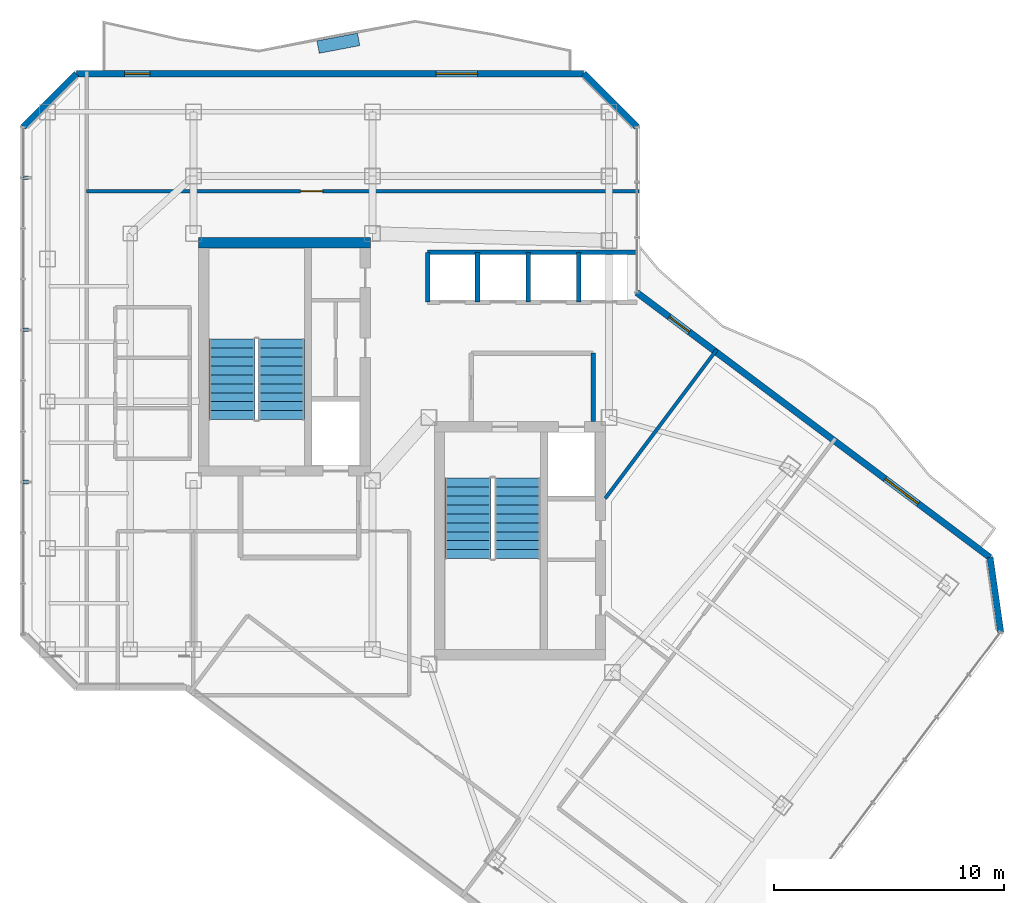
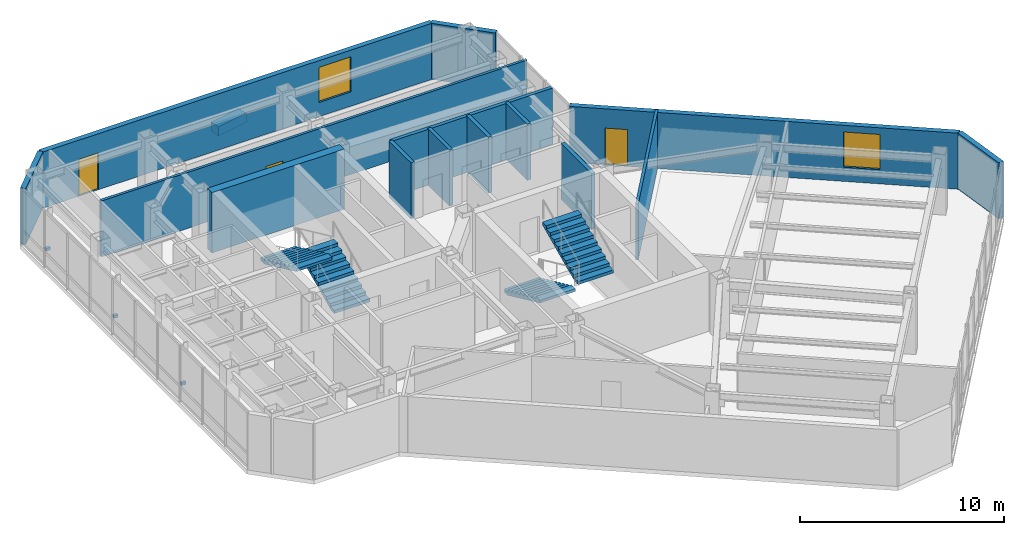
# One storey, part 21 of 25: 14 walls, 4 discrete accessories, 4 stair flights, 3 doors, 2 windows, 5 openings, 2 elements without a shape of their own.
"""IFC4 building model written with IfcOpenShell, lengths in metres."""

from ifc_helpers import new_model, si_unit, direction, frame, frame_2d, origin, origin_2d, place, context, subcontext, project, spatial, polyline, rectangle, outline, extrude, material, layer, layer_set, type_object, element, fill, aggregate, save


model = new_model("IFC4")

# Units and contexts
model_context = context("Model", 3, precision=1e-05, world=origin(), true_north=direction((0.0, 1.0)))
body_context = subcontext(model_context, "Body", "Model", "MODEL_VIEW")
ifc_project = project(units=[si_unit("LENGTHUNIT", "METRE"), si_unit("AREAUNIT", "SQUARE_METRE"), si_unit("VOLUMEUNIT", "CUBIC_METRE"), si_unit("PLANEANGLEUNIT", "RADIAN"), si_unit("MASSUNIT", "GRAM", prefix="KILO")], contexts=[model_context])

# Site, building, storey
site_placement = place(None, origin())
site = spatial("IfcSite", under=ifc_project, at=site_placement, CompositionType="ELEMENT")
building_placement = place(site_placement, origin())
building = spatial("IfcBuilding", under=site, at=building_placement, Name="Hatsunagi Terrace Concourse", CompositionType="ELEMENT")
storey_placement = place(building_placement, frame((0.0, 0.0, 220.35009765625)))
storey = spatial("IfcBuildingStorey", under=building, at=storey_placement, Name="L58", CompositionType="ELEMENT", Elevation=220.35009765625)

# Wall
ifc_material_1 = material(Name="Concrete Fc42", Category="concrete")
ifc_layer_1 = layer(ifc_material_1, 0.449951171875)
ifc_layer_set_1 = layer_set([ifc_layer_1], Name="CoreShearWall_Fc42_450")
wall_type_1 = type_object("IfcWallType", Name="CoreShearWall_Fc42_450", PredefinedType="SHEAR", material=ifc_layer_set_1)
wall_1_placement = place(storey_placement, frame((25.77001953125, 42.89501953125, 0.0), z_axis=(0.0, 0.0, 1.0), x_axis=(1.0, 0.0, 0.0)))
element("IfcWall", 1, at=wall_1_placement, inside=storey, type_object=wall_type_1, Name="Core A Shear Wall N L58", PredefinedType="SHEAR", context=body_context, shape_type="SweptSolid", body=[
    extrude(rectangle(XDim=7.47998046875, YDim=0.449951171875, at=frame_2d((3.739990234375, 0.0))), origin(), (0.0, 0.0, 1.0), 3.599853515625),
])

# Wall, opening, door
ifc_material_2 = material(Name="Acoustic mineral board", Category="gypsum")
ifc_layer_2 = layer(ifc_material_2, 0.14990234375)
ifc_layer_set_2 = layer_set([ifc_layer_2], Name="PartitionWall_EI60_150")
wall_type_2 = type_object("IfcWallType", Name="PartitionWall_EI60_150", PredefinedType="PARTITIONING", material=ifc_layer_set_2)
wall_2_placement = place(storey_placement, frame((20.89990234375, 45.14990234375, 0.0), z_axis=(0.0, 0.0, 1.0), x_axis=(1.0, 0.0, 0.0)))
wall_2 = element("IfcWall", 2, at=wall_2_placement, inside=storey, type_object=wall_type_2, Name="Interior Partition IW-L58-031", PredefinedType="PARTITIONING", context=body_context, shape_type="SweptSolid", body=[
    extrude(rectangle(XDim=24.06005859375, YDim=0.14990234375, at=frame_2d((12.030029296875, 0.0))), origin(), (0.0, 0.0, 1.0), 3.349853515625),
])
opening_1_placement = place(wall_2_placement, frame((9.320068359375, 0.0, 0.0)))
opening_1 = element("IfcOpeningElement", 3, at=opening_1_placement, cuts=wall_2, Name="Opening DR-095", PredefinedType="OPENING", context=body_context, shape_type="SweptSolid", body=[
    extrude(rectangle(XDim=0.949951171875, YDim=2.14990234375, at=frame_2d((0.47509765625, 1.074951171875))), frame((0.0, 0.0849609375, 0.0), z_axis=(0.0, -1.0, 0.0), x_axis=(1.0, 0.0, 0.0)), (0.0, 0.0, 1.0), 0.169921875),
])
ifc_material_3 = material(Name="Hardwood timber", Category="wood")
door_type_1 = type_object("IfcDoorType", Name="InteriorSuiteDoor_EI30_950", OperationType="NOTDEFINED", PredefinedType="DOOR", material=ifc_material_3)
door_1_placement = place(opening_1_placement, origin())
door_1 = element("IfcDoor", 4, at=door_1_placement, inside=storey, type_object=door_type_1, Name="Boardroom L58-ON1 Door", OperationType="SINGLE_SWING_RIGHT", OverallHeight=2.14990234375, OverallWidth=0.949951171875, PredefinedType="DOOR", context=body_context, shape_type="SweptSolid", body=[
    extrude(rectangle(XDim=0.949951171875, YDim=2.14990234375, at=frame_2d((0.47509765625, 1.074951171875))), frame((0.0, 0.02490234375, 0.0), z_axis=(0.0, -1.0, 0.0), x_axis=(1.0, 0.0, 0.0)), (0.0, 0.0, 1.0), 0.050048828125),
])
fill(opening_1, door_1)

# Walls
wall_3_placement = place(storey_placement, frame((43.47998046875, 31.77294921875, 0.0), z_axis=(0.0, 0.0, 1.0), x_axis=(0.599971041729, 0.800021717885, 0.0)))
element("IfcWall", 5, at=wall_3_placement, inside=storey, type_object=wall_type_2, Name="Interior Partition IW-L58-035", PredefinedType="PARTITIONING", context=body_context, shape_type="SweptSolid", body=[
    extrude(rectangle(XDim=8.09375, YDim=0.14990234375, at=frame_2d((4.046875, 0.0))), origin(), (0.0, 0.0, 1.0), 3.349853515625),
])
ifc_material_4 = material(Name="Acoustic mineral board", Category="gypsum")
ifc_layer_3 = layer(ifc_material_4, 0.199951171875)
ifc_layer_set_3 = layer_set([ifc_layer_3], Name="ShaftWall_EI120_200")
wall_type_3 = type_object("IfcWallType", Name="ShaftWall_EI120_200", PredefinedType="STANDARD", material=ifc_layer_set_3)
wall_4_placement = place(storey_placement, frame((42.949951171875, 35.1201171875, 0.0), z_axis=(0.0, 0.0, 1.0), x_axis=(0.0, 1.0, 0.0)))
element("IfcWall", 6, at=wall_4_placement, inside=storey, type_object=wall_type_3, Name="Interior Partition IW-L58-010", PredefinedType="STANDARD", context=body_context, shape_type="SweptSolid", body=[
    extrude(rectangle(XDim=2.97998046875, YDim=0.199951171875, at=frame_2d((1.489990234375, 0.0))), origin(), (0.0, 0.0, 1.0), 3.349853515625),
])
wall_5_placement = place(storey_placement, frame((35.75, 42.47998046875, 0.0), z_axis=(0.0, 0.0, 1.0), x_axis=(1.0, 0.0, 0.0)))
element("IfcWall", 7, at=wall_5_placement, inside=storey, type_object=wall_type_3, Name="Interior Partition IW-L58-012", PredefinedType="STANDARD", context=body_context, shape_type="SweptSolid", body=[
    extrude(rectangle(XDim=9.110107421875, YDim=0.199951171875, at=frame_2d((4.55517578125, 0.0))), origin(), (0.0, 0.0, 1.0), 3.349853515625),
])
for number, where, z_axis, x_axis, name in (
    (8, (35.75, 40.320068359375, 0.0), (0.0, 0.0, 1.0), (0.0, 1.0, 0.0), "Interior Partition IW-L58-013"),
    (9, (37.919921875, 40.320068359375, 0.0), (0.0, 0.0, 1.0), (0.0, 1.0, 0.0), "Interior Partition IW-L58-014"),
    (10, (40.1201171875, 40.320068359375, 0.0), (0.0, 0.0, 1.0), (0.0, 1.0, 0.0), "Interior Partition IW-L58-015"),
    (11, (42.320068359375, 40.320068359375, 0.0), (0.0, 0.0, 1.0), (0.0, 1.0, 0.0), "Interior Partition IW-L58-016"),
):
    element("IfcWall", number, at=place(storey_placement, frame(where, z_axis=z_axis, x_axis=x_axis)), inside=storey, type_object=wall_type_3, Name=name, PredefinedType="STANDARD", context=body_context, shape_type="SweptSolid", body=[
        extrude(rectangle(XDim=2.159912109375, YDim=0.199951171875, at=frame_2d((1.080078125, 0.0))), origin(), (0.0, 0.0, 1.0), 3.349853515625),
    ])

# Wall, openings, door, window
ifc_material_5 = material(Name="Autoclaved Lightweight Concrete and Terracotta Cladding", Category="masonry")
ifc_layer_4 = layer(ifc_material_5, 0.280029296875)
ifc_layer_set_4 = layer_set([ifc_layer_4], Name="TerracottaSpandrelWall_280")
wall_type_4 = type_object("IfcWallType", Name="TerracottaSpandrelWall_280", PredefinedType="STANDARD", material=ifc_layer_set_4)
wall_6_placement = place(storey_placement, frame((44.860107421875, 40.72998046875, 0.0), z_axis=(0.0, 0.0, 1.0), x_axis=(0.800007624502, -0.599989833863, 0.0)))
wall_6 = element("IfcWall", 12, at=wall_6_placement, inside=storey, type_object=wall_type_4, Name="Exterior Spandrel Wall EW-L58-01", PredefinedType="STANDARD", context=body_context, shape_type="SweptSolid", body=[
    extrude(rectangle(XDim=19.212158203125, YDim=0.280029296875, at=frame_2d((9.60595703125, 0.0))), origin(), (0.0, 0.0, 1.0), 3.349853515625),
])
opening_2_placement = place(wall_6_placement, frame((1.7548828125, 0.0, 0.0)))
opening_2 = element("IfcOpeningElement", 13, at=opening_2_placement, cuts=wall_6, Name="Opening BD-01", PredefinedType="OPENING", context=body_context, shape_type="SweptSolid", body=[
    extrude(rectangle(XDim=1.10009765625, YDim=2.199951171875, at=frame_2d((0.550048828125, 1.10009765625))), frame((0.0, 0.14990234375, 0.0), z_axis=(0.0, -1.0, 0.0), x_axis=(1.0, 0.0, 0.0)), (0.0, 0.0, 1.0), 0.300048828125),
])
opening_3_placement = place(wall_6_placement, frame((13.509033203125, 0.0, 0.85009765625)))
opening_3 = element("IfcOpeningElement", 14, at=opening_3_placement, cuts=wall_6, Name="Opening WIN-03", PredefinedType="OPENING", context=body_context, shape_type="SweptSolid", body=[
    extrude(rectangle(XDim=1.800048828125, YDim=2.10009765625, at=frame_2d((0.89990234375, 1.050048828125))), frame((0.0, 0.14990234375, 0.0), z_axis=(0.0, -1.0, 0.0), x_axis=(1.0, 0.0, 0.0)), (0.0, 0.0, 1.0), 0.300048828125),
])
ifc_material_6 = material(Name="Galvanised Steel and Laminated Safety Glass", Category="steel")
door_type_2 = type_object("IfcDoorType", Name="BalconyTerraceAccessDoor_1100x2200", OperationType="SINGLE_SWING_LEFT", PredefinedType="DOOR", material=ifc_material_6)
door_2_placement = place(opening_2_placement, origin())
door_2 = element("IfcDoor", 15, at=door_2_placement, inside=storey, type_object=door_type_2, Name="Engawa Balcony Door L58-BSE", OperationType="SINGLE_SWING_LEFT", OverallHeight=2.199951171875, OverallWidth=1.10009765625, PredefinedType="DOOR", context=body_context, shape_type="SweptSolid", body=[
    extrude(rectangle(XDim=1.10009765625, YDim=2.199951171875, at=frame_2d((0.550048828125, 1.10009765625))), frame((0.0, 0.02490234375, 0.0), z_axis=(0.0, -1.0, 0.0), x_axis=(1.0, 0.0, 0.0)), (0.0, 0.0, 1.0), 0.050048828125),
])
fill(opening_2, door_2)
ifc_material_7 = material(Name="Thermally Broken Aluminium and Low-E Triple Glazing", Category="aluminium")
window_type = type_object("IfcWindowType", Name="OfficeCornerFeatureWindow_1800x2100", PartitioningType="SINGLE_PANEL", PredefinedType="WINDOW", material=ifc_material_7)
window_1_placement = place(opening_3_placement, origin())
window_1 = element("IfcWindow", 16, at=window_1_placement, inside=storey, type_object=window_type, Name="Balcony Daylighting Window L58-01-2", OverallHeight=2.10009765625, OverallWidth=1.800048828125, PartitioningType="SINGLE_PANEL", PredefinedType="WINDOW", context=body_context, shape_type="SweptSolid", body=[
    extrude(rectangle(XDim=1.800048828125, YDim=2.10009765625, at=frame_2d((0.89990234375, 1.050048828125))), frame((0.0, 0.030029296875, 0.0), z_axis=(0.0, -1.0, 0.0), x_axis=(1.0, 0.0, 0.0)), (0.0, 0.0, 1.0), 0.06005859375),
])
fill(opening_3, window_1)

# Walls
wall_7_placement = place(storey_placement, frame((60.22998046875, 29.202880859375, 0.0), z_axis=(0.0, 0.0, 1.0), x_axis=(0.141296221922, -0.989967361922, 0.0)))
element("IfcWall", 17, at=wall_7_placement, inside=storey, type_object=wall_type_4, Name="Exterior Spandrel Wall EW-L58-02", PredefinedType="STANDARD", context=body_context, shape_type="SweptSolid", body=[
    extrude(rectangle(XDim=3.27783203125, YDim=0.280029296875, at=frame_2d((1.638916015625, 0.0))), origin(), (0.0, 0.0, 1.0), 3.349853515625),
])
wall_8_placement = place(storey_placement, frame((18.139892578125, 47.94189453125, 0.0), z_axis=(0.0, 0.0, 1.0), x_axis=(0.707106781187, 0.707106781187, 0.0)))
element("IfcWall", 18, at=wall_8_placement, inside=storey, type_object=wall_type_4, Name="Exterior Spandrel Wall EW-L58-09", PredefinedType="STANDARD", context=body_context, shape_type="SweptSolid", body=[
    extrude(rectangle(XDim=3.2783203125, YDim=0.280029296875, at=frame_2d((1.63916015625, 0.0))), origin(), (0.0, 0.0, 1.0), 3.349853515625),
])

# Wall, openings, door, window
wall_9_placement = place(storey_placement, frame((20.4580078125, 50.260009765625, 0.0), z_axis=(0.0, 0.0, 1.0), x_axis=(1.0, 0.0, 0.0)))
wall_9 = element("IfcWall", 19, at=wall_9_placement, inside=storey, type_object=wall_type_4, Name="Exterior Spandrel Wall EW-L58-10", PredefinedType="STANDARD", context=body_context, shape_type="SweptSolid", body=[
    extrude(rectangle(XDim=22.083984375, YDim=0.280029296875, at=frame_2d((11.0419921875, 0.0))), origin(), (0.0, 0.0, 1.0), 3.349853515625),
])
opening_4_placement = place(wall_9_placement, frame((2.10009765625, 0.0, 0.0)))
opening_4 = element("IfcOpeningElement", 20, at=opening_4_placement, cuts=wall_9, Name="Opening BD-01", PredefinedType="OPENING", context=body_context, shape_type="SweptSolid", body=[
    extrude(rectangle(XDim=1.10009765625, YDim=2.199951171875, at=frame_2d((0.550048828125, 1.10009765625))), frame((0.0, 0.14990234375, 0.0), z_axis=(0.0, -1.0, 0.0), x_axis=(1.0, 0.0, 0.0)), (0.0, 0.0, 1.0), 0.300048828125),
])
opening_5_placement = place(wall_9_placement, frame((15.6630859375, 0.0, 0.85009765625)))
opening_5 = element("IfcOpeningElement", 21, at=opening_5_placement, cuts=wall_9, Name="Opening WIN-03", PredefinedType="OPENING", context=body_context, shape_type="SweptSolid", body=[
    extrude(rectangle(XDim=1.800048828125, YDim=2.10009765625, at=frame_2d((0.89990234375, 1.050048828125))), frame((0.0, 0.14990234375, 0.0), z_axis=(0.0, -1.0, 0.0), x_axis=(1.0, 0.0, 0.0)), (0.0, 0.0, 1.0), 0.300048828125),
])
door_3_placement = place(opening_4_placement, origin())
door_3 = element("IfcDoor", 22, at=door_3_placement, inside=storey, type_object=door_type_2, Name="Engawa Balcony Door L58-BN", OperationType="SINGLE_SWING_RIGHT", OverallHeight=2.199951171875, OverallWidth=1.10009765625, PredefinedType="DOOR", context=body_context, shape_type="SweptSolid", body=[
    extrude(rectangle(XDim=1.10009765625, YDim=2.199951171875, at=frame_2d((0.550048828125, 1.10009765625))), frame((0.0, 0.02490234375, 0.0), z_axis=(0.0, -1.0, 0.0), x_axis=(1.0, 0.0, 0.0)), (0.0, 0.0, 1.0), 0.050048828125),
])
fill(opening_4, door_3)
window_2_placement = place(opening_5_placement, origin())
window_2 = element("IfcWindow", 23, at=window_2_placement, inside=storey, type_object=window_type, Name="Balcony Daylighting Window L58-10-2", OverallHeight=2.10009765625, OverallWidth=1.800048828125, PartitioningType="SINGLE_PANEL", PredefinedType="WINDOW", context=body_context, shape_type="SweptSolid", body=[
    extrude(rectangle(XDim=1.800048828125, YDim=2.10009765625, at=frame_2d((0.89990234375, 1.050048828125))), frame((0.0, 0.030029296875, 0.0), z_axis=(0.0, -1.0, 0.0), x_axis=(1.0, 0.0, 0.0)), (0.0, 0.0, 1.0), 0.06005859375),
])
fill(opening_5, window_2)

# Wall
wall_10_placement = place(storey_placement, frame((42.5419921875, 50.260009765625, 0.0), z_axis=(0.0, 0.0, 1.0), x_axis=(0.707106781187, -0.707106781187, 0.0)))
element("IfcWall", 24, at=wall_10_placement, inside=storey, type_object=wall_type_4, Name="Exterior Spandrel Wall EW-L58-11", PredefinedType="STANDARD", context=body_context, shape_type="SweptSolid", body=[
    extrude(rectangle(XDim=3.2783203125, YDim=0.280029296875, at=frame_2d((1.63916015625, 0.0))), origin(), (0.0, 0.0, 1.0), 3.349853515625),
])

# Stair, stair flights
ifc_material_8 = material(Name="Concrete Fc42", Category="concrete")
stair_type = type_object("IfcStairType", Name="DoglegExitStair_Tower2000_20R_180", PredefinedType="HALF_TURN_STAIR", material=ifc_material_8)
stair_1_placement = place(storey_placement, origin())
stair_1 = element("IfcStair", 25, at=stair_1_placement, inside=storey, type_object=stair_type, Name="L58 Core A Protected Exit Stair ST-A", PredefinedType="HALF_TURN_STAIR")
ifc_material_9 = material(Name="Concrete Fc42", Category="concrete")
stair_flight_type = type_object("IfcStairFlightType", Name="DoglegStairFlight_Tower2000_20R_180", PredefinedType="STRAIGHT", material=ifc_material_9)
stair_flight_1_placement = place(storey_placement, frame((29.3798828125, 35.199951171875, 0.0), z_axis=(0.0, 0.0, 1.0), x_axis=(0.0, 1.0, 0.0)))
stair_flight_1 = element("IfcStairFlight", 26, at=stair_flight_1_placement, type_object=stair_flight_type, Name="ST-A flight 1", NumberOfRisers=10, NumberOfTreads=9, PredefinedType="STRAIGHT", RiserHeight=0.18, TreadLength=0.39, context=body_context, shape_type="SweptSolid", body=[
    extrude(outline(polyline([(0.0, 0.0), (0.0, 0.179931640625), (0.389892578125, 0.179931640625), (0.389892578125, 0.360107421875), (0.780029296875, 0.360107421875), (0.780029296875, 0.5400390625), (1.169921875, 0.5400390625), (1.169921875, 0.719970703125), (1.56005859375, 0.719970703125), (1.56005859375, 0.89990234375), (1.949951171875, 0.89990234375), (1.949951171875, 1.080078125), (2.340087890625, 1.080078125), (2.340087890625, 1.260009765625), (2.72998046875, 1.260009765625), (2.72998046875, 1.43994140625), (3.1201171875, 1.43994140625), (3.1201171875, 1.6201171875), (3.510009765625, 1.6201171875), (3.510009765625, 1.800048828125), (3.510009765625, 1.454833984375), (0.357666015625, 0.0), (0.0, 0.0)])), frame((0.0, 1.0, 0.0), z_axis=(0.0, -1.0, 0.0), x_axis=(1.0, 0.0, 0.0)), (0.0, 0.0, 1.0), 2.0),
])
stair_flight_2_placement = place(storey_placement, frame((27.22998046875, 38.7099609375, 1.7998046875), z_axis=(0.0, 0.0, 1.0), x_axis=(0.0, -1.0, 0.0)))
stair_flight_2 = element("IfcStairFlight", 27, at=stair_flight_2_placement, type_object=stair_flight_type, Name="ST-A flight 2", NumberOfRisers=10, NumberOfTreads=9, PredefinedType="STRAIGHT", RiserHeight=0.18, TreadLength=0.39, context=body_context, shape_type="SweptSolid", body=[
    extrude(outline(polyline([(0.0, 0.0), (0.0, 0.179931640625), (0.389892578125, 0.179931640625), (0.389892578125, 0.360107421875), (0.780029296875, 0.360107421875), (0.780029296875, 0.5400390625), (1.169921875, 0.5400390625), (1.169921875, 0.719970703125), (1.56005859375, 0.719970703125), (1.56005859375, 0.89990234375), (1.949951171875, 0.89990234375), (1.949951171875, 1.080078125), (2.340087890625, 1.080078125), (2.340087890625, 1.260009765625), (2.72998046875, 1.260009765625), (2.72998046875, 1.43994140625), (3.1201171875, 1.43994140625), (3.1201171875, 1.6201171875), (3.510009765625, 1.6201171875), (3.510009765625, 1.800048828125), (3.510009765625, 1.454833984375), (0.357666015625, 0.0), (0.0, 0.0)])), frame((0.0, 1.0, 0.0), z_axis=(0.0, -1.0, 0.0), x_axis=(1.0, 0.0, 0.0)), (0.0, 0.0, 1.0), 2.0),
])
aggregate(stair_1, [stair_flight_1, stair_flight_2])

stair_2_placement = place(storey_placement, origin())
stair_2 = element("IfcStair", 28, at=stair_2_placement, inside=storey, type_object=stair_type, Name="L58 Core B Protected Exit Stair ST-B", PredefinedType="HALF_TURN_STAIR")
stair_flight_3_placement = place(storey_placement, frame((37.5, 32.659912109375, 0.0), z_axis=(0.0, 0.0, 1.0), x_axis=(0.0, -1.0, 0.0)))
stair_flight_3 = element("IfcStairFlight", 29, at=stair_flight_3_placement, type_object=stair_flight_type, Name="ST-B flight 1", NumberOfRisers=10, NumberOfTreads=9, PredefinedType="STRAIGHT", RiserHeight=0.18, TreadLength=0.39, context=body_context, shape_type="SweptSolid", body=[
    extrude(outline(polyline([(0.0, 0.0), (0.0, 0.179931640625), (0.389892578125, 0.179931640625), (0.389892578125, 0.360107421875), (0.780029296875, 0.360107421875), (0.780029296875, 0.5400390625), (1.169921875, 0.5400390625), (1.169921875, 0.719970703125), (1.56005859375, 0.719970703125), (1.56005859375, 0.89990234375), (1.949951171875, 0.89990234375), (1.949951171875, 1.080078125), (2.340087890625, 1.080078125), (2.340087890625, 1.260009765625), (2.72998046875, 1.260009765625), (2.72998046875, 1.43994140625), (3.1201171875, 1.43994140625), (3.1201171875, 1.6201171875), (3.510009765625, 1.6201171875), (3.510009765625, 1.800048828125), (3.510009765625, 1.454833984375), (0.357666015625, 0.0), (0.0, 0.0)])), frame((0.0, 1.0, 0.0), z_axis=(0.0, -1.0, 0.0), x_axis=(1.0, 0.0, 0.0)), (0.0, 0.0, 1.0), 2.0),
])
stair_flight_4_placement = place(storey_placement, frame((39.64990234375, 29.14990234375, 1.7998046875), z_axis=(0.0, 0.0, 1.0), x_axis=(0.0, 1.0, 0.0)))
stair_flight_4 = element("IfcStairFlight", 30, at=stair_flight_4_placement, type_object=stair_flight_type, Name="ST-B flight 2", NumberOfRisers=10, NumberOfTreads=9, PredefinedType="STRAIGHT", RiserHeight=0.18, TreadLength=0.39, context=body_context, shape_type="SweptSolid", body=[
    extrude(outline(polyline([(0.0, 0.0), (0.0, 0.179931640625), (0.389892578125, 0.179931640625), (0.389892578125, 0.360107421875), (0.780029296875, 0.360107421875), (0.780029296875, 0.5400390625), (1.169921875, 0.5400390625), (1.169921875, 0.719970703125), (1.56005859375, 0.719970703125), (1.56005859375, 0.89990234375), (1.949951171875, 0.89990234375), (1.949951171875, 1.080078125), (2.340087890625, 1.080078125), (2.340087890625, 1.260009765625), (2.72998046875, 1.260009765625), (2.72998046875, 1.43994140625), (3.1201171875, 1.43994140625), (3.1201171875, 1.6201171875), (3.510009765625, 1.6201171875), (3.510009765625, 1.800048828125), (3.510009765625, 1.454833984375), (0.357666015625, 0.0), (0.0, 0.0)])), frame((0.0, 1.0, 0.0), z_axis=(0.0, -1.0, 0.0), x_axis=(1.0, 0.0, 0.0)), (0.0, 0.0, 1.0), 2.0),
])
aggregate(stair_2, [stair_flight_3, stair_flight_4])

# Discrete accessories
ifc_material_10 = material(Name="Stainless Steel SUS316 Bracket", Category="steel")
discrete_accessory_type_1 = type_object("IfcDiscreteAccessoryType", Name="FacadeScreenSupportBracket_SS", PredefinedType="BRACKET", material=ifc_material_10)
for number, where, z_axis, x_axis, name in (
    (31, (18.25, 32.48291015625, 0.9697265625), (0.0, 0.0, 1.0), (0.0, 1.0, 0.0), "Terracotta Screen Bracket BRK-01"),
    (32, (18.25, 39.10791015625, 0.9697265625), (0.0, 0.0, 1.0), (0.0, 1.0, 0.0), "Terracotta Screen Bracket BRK-01"),
    (33, (18.25, 45.73388671875, 0.9697265625), (0.0, 0.0, 1.0), (0.0, 1.0, 0.0), "Terracotta Screen Bracket BRK-01"),
):
    element("IfcDiscreteAccessory", number, at=place(storey_placement, frame(where, z_axis=z_axis, x_axis=x_axis)), inside=storey, type_object=discrete_accessory_type_1, Name=name, PredefinedType="BRACKET", context=body_context, shape_type="SweptSolid", body=[
        extrude(rectangle(XDim=0.159912109375, YDim=0.239990234375, at=origin_2d()), origin(), (0.0, 0.0, 1.0), 0.159912109375),
    ])
ifc_material_11 = material(Name="Architectural Precast Terracotta Planter", Category="masonry")
discrete_accessory_type_2 = type_object("IfcDiscreteAccessoryType", Name="SkyGardenPlanterEdge_450", PredefinedType="USERDEFINED", material=ifc_material_11)
discrete_accessory_placement = place(storey_placement, frame((31.861083984375, 51.587890625, 0.0), z_axis=(0.0, 0.0, 1.0), x_axis=(0.982368917742, 0.186952693094, 0.0)))
element("IfcDiscreteAccessory", 34, at=discrete_accessory_placement, inside=storey, type_object=discrete_accessory_type_2, Name="Balcony Greenery Planter L58-BN", ObjectType="PLANTER", PredefinedType="USERDEFINED", context=body_context, shape_type="SweptSolid", body=[
    extrude(rectangle(XDim=1.800048828125, YDim=0.550048828125, at=origin_2d()), origin(), (0.0, 0.0, 1.0), 0.550048828125),
])

save(model, "model.ifc")
